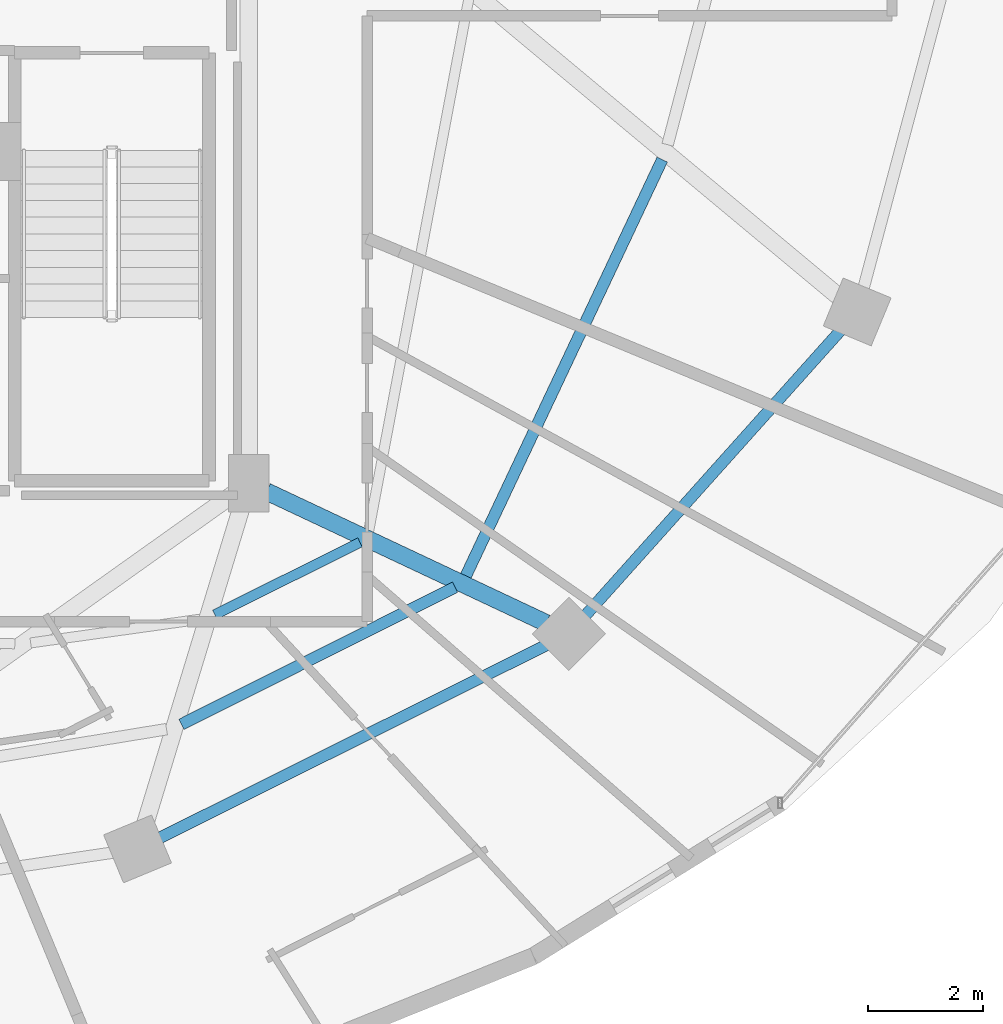
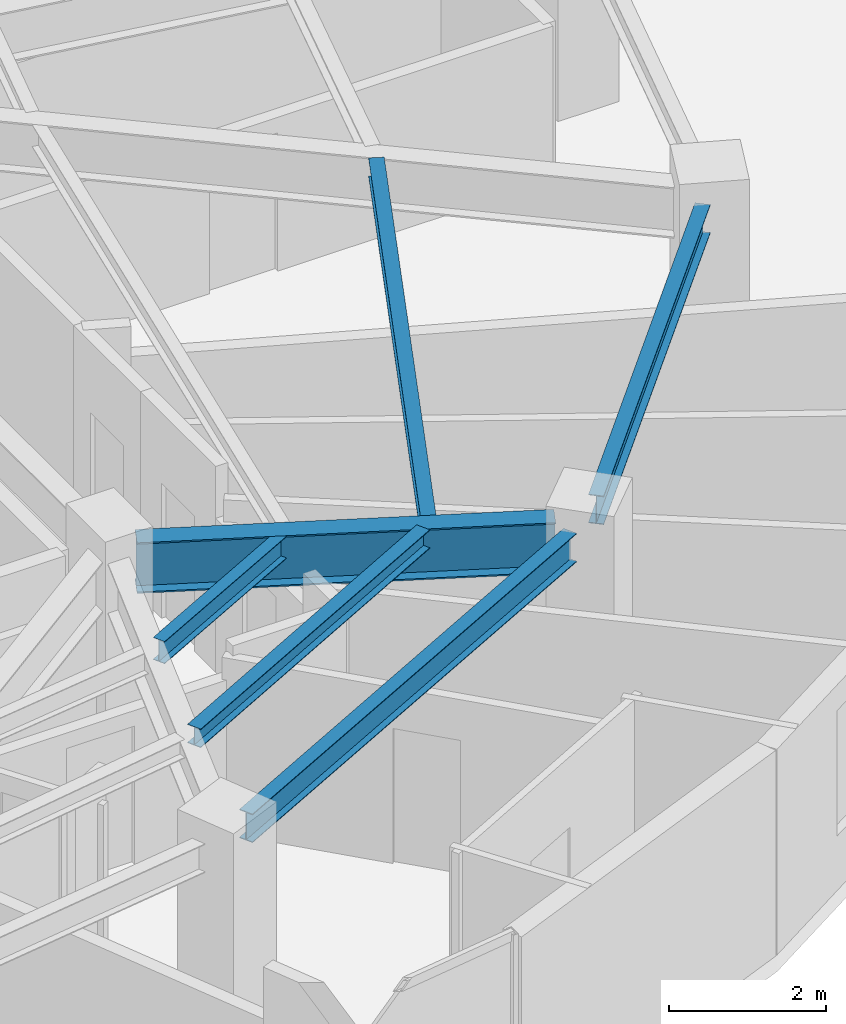
# One storey, part 12 of 33: 6 beams.
"""IFC4 building model written with IfcOpenShell, lengths in metres."""

from ifc_helpers import new_model, si_unit, direction, frame, origin, origin_2d, place, context, subcontext, project, spatial, i_section, extrude, material, material_profile, profile_set, type_object, element, save


model = new_model("IFC4")

# Units and contexts
model_context = context("Model", 3, precision=1e-05, world=origin(), true_north=direction((0.0, 1.0)))
body_context = subcontext(model_context, "Body", "Model", "MODEL_VIEW")
ifc_project = project(units=[si_unit("LENGTHUNIT", "METRE"), si_unit("AREAUNIT", "SQUARE_METRE"), si_unit("VOLUMEUNIT", "CUBIC_METRE"), si_unit("PLANEANGLEUNIT", "RADIAN"), si_unit("MASSUNIT", "GRAM", prefix="KILO")], contexts=[model_context])

# Site, building, storey
site_placement = place(None, origin())
site = spatial("IfcSite", under=ifc_project, at=site_placement, CompositionType="ELEMENT")
building_placement = place(site_placement, origin())
building = spatial("IfcBuilding", under=site, at=building_placement, Name="Vorneva Point Tower", CompositionType="ELEMENT")
storey_placement = place(building_placement, frame((0.0, 0.0, 221.39990234375)))
storey = spatial("IfcBuildingStorey", under=building, at=storey_placement, Name="L60", CompositionType="ELEMENT", Elevation=221.39990234375)

# Beams
ifc_material = material(Name="Steel S355", Category="steel")
ifc_material_profile_1 = material_profile(ifc_material, i_section(OverallWidth=0.300048828125, OverallDepth=0.7880859375, WebThickness=0.014404296875, FlangeThickness=0.02197265625, at=origin_2d()), Name="80Sh1")
ifc_profile_set_1 = profile_set([ifc_material_profile_1], Name="Steel S355")
beam_type_1 = type_object("IfcBeamType", Name="BM-GRD-80Sh1", PredefinedType="USERDEFINED", material=ifc_profile_set_1)
beam_1_placement = place(storey_placement, frame((53.902587890625, 14.0244140625, 2.80615234375), z_axis=(-0.904762899762, 0.42591559635, 0.0), x_axis=(-0.42591559635, -0.904762899762, 0.0)))
element("IfcBeam", 1, at=beam_1_placement, inside=storey, type_object=beam_type_1, Name="L60 Radial Primary Girder 15", ObjectType="GIRDER", PredefinedType="USERDEFINED", context=body_context, shape_type="SweptSolid", body=[
    extrude(i_section(OverallWidth=0.300048828125, OverallDepth=0.7880859375, WebThickness=0.014404296875, FlangeThickness=0.02197265625, at=origin_2d()), origin(), (0.0, 0.0, 1.0), 5.35498046875),
])
ifc_material_profile_2 = material_profile(ifc_material, i_section(OverallWidth=0.199951171875, OverallDepth=0.291015625, WebThickness=0.008056640625, FlangeThickness=0.010986328125, at=origin_2d()), Name="30Sh1")
ifc_profile_set_2 = profile_set([ifc_material_profile_2], Name="Steel S355")
beam_type_2 = type_object("IfcBeamType", Name="BM-SEC-30Sh1", PredefinedType="BEAM", material=ifc_profile_set_2)
beam_2_placement = place(storey_placement, frame((47.58251953125, 12.26904296875, 3.0546875), z_axis=(0.893966574165, 0.448133645552, 0.0), x_axis=(-0.448133645552, 0.893966574165, 0.0)))
element("IfcBeam", 2, at=beam_2_placement, inside=storey, type_object=beam_type_2, Name="L60 Secondary Floor Beam 1.14", PredefinedType="BEAM", context=body_context, shape_type="SweptSolid", body=[
    extrude(i_section(OverallWidth=0.199951171875, OverallDepth=0.291015625, WebThickness=0.008056640625, FlangeThickness=0.010986328125, at=origin_2d()), origin(), (0.0, 0.0, 1.0), 5.3056640625),
])
beam_3_placement = place(storey_placement, frame((52.5078125, 14.83349609375, 3.0546875), z_axis=(0.426607826977, 0.90443670976, 0.0), x_axis=(-0.90443670976, 0.426607826977, 0.0)))
element("IfcBeam", 3, at=beam_3_placement, inside=storey, type_object=beam_type_2, Name="L60 Secondary Floor Beam 1.15", PredefinedType="BEAM", context=body_context, shape_type="SweptSolid", body=[
    extrude(i_section(OverallWidth=0.199951171875, OverallDepth=0.291015625, WebThickness=0.008056640625, FlangeThickness=0.010986328125, at=origin_2d()), origin(), (0.0, 0.0, 1.0), 7.988525390625),
])
ifc_material_profile_3 = material_profile(ifc_material, i_section(OverallWidth=0.174072265625, OverallDepth=0.345947265625, WebThickness=0.006103515625, FlangeThickness=0.009033203125, at=origin_2d()), Name="35B1")
ifc_profile_set_3 = profile_set([ifc_material_profile_3], Name="Steel S355")
beam_type_3 = type_object("IfcBeamType", Name="BM-SEC-35B1", PredefinedType="BEAM", material=ifc_profile_set_3)
beam_4_placement = place(storey_placement, frame((48.16162109375, 14.17138671875, 3.027099609375), z_axis=(0.895432586212, 0.445197128865, 0.0), x_axis=(-0.445197128865, 0.895432586212, 0.0)))
element("IfcBeam", 4, at=beam_4_placement, inside=storey, type_object=beam_type_3, Name="L60 Secondary Floor Beam 2.14", PredefinedType="BEAM", context=body_context, shape_type="SweptSolid", body=[
    extrude(i_section(OverallWidth=0.174072265625, OverallDepth=0.345947265625, WebThickness=0.006103515625, FlangeThickness=0.009033203125, at=origin_2d()), origin(), (0.0, 0.0, 1.0), 2.810546875),
])
ifc_material_profile_4 = material_profile(ifc_material, i_section(OverallWidth=0.198974609375, OverallDepth=0.446044921875, WebThickness=0.008056640625, FlangeThickness=0.011962890625, at=origin_2d()), Name="45B1")
ifc_profile_set_4 = profile_set([ifc_material_profile_4], Name="Steel S355")
beam_type_4 = type_object("IfcBeamType", Name="BM-SPN-45B1", PredefinedType="SPANDREL", material=ifc_profile_set_4)
beam_5_placement = place(storey_placement, frame((47.210205078125, 10.303466796875, 2.97705078125), z_axis=(0.894922371084, 0.446221861559, 0.0), x_axis=(-0.446221861559, 0.894922371084, 0.0)))
element("IfcBeam", 5, at=beam_5_placement, inside=storey, type_object=beam_type_4, Name="L60 Perimeter Spandrel Ring Beam 14", PredefinedType="SPANDREL", context=body_context, shape_type="SweptSolid", body=[
    extrude(i_section(OverallWidth=0.198974609375, OverallDepth=0.446044921875, WebThickness=0.008056640625, FlangeThickness=0.011962890625, at=origin_2d()), origin(), (0.0, 0.0, 1.0), 7.48583984375),
])
beam_6_placement = place(storey_placement, frame((54.589111328125, 14.161865234375, 2.97705078125), z_axis=(0.66706970547, 0.744995307397, 0.0), x_axis=(-0.744995307397, 0.66706970547, 0.0)))
element("IfcBeam", 6, at=beam_6_placement, inside=storey, type_object=beam_type_4, Name="L60 Perimeter Spandrel Ring Beam 15", PredefinedType="SPANDREL", context=body_context, shape_type="SweptSolid", body=[
    extrude(i_section(OverallWidth=0.198974609375, OverallDepth=0.446044921875, WebThickness=0.008056640625, FlangeThickness=0.011962890625, at=origin_2d()), origin(), (0.0, 0.0, 1.0), 6.6201171875),
])

save(model, "model.ifc")
